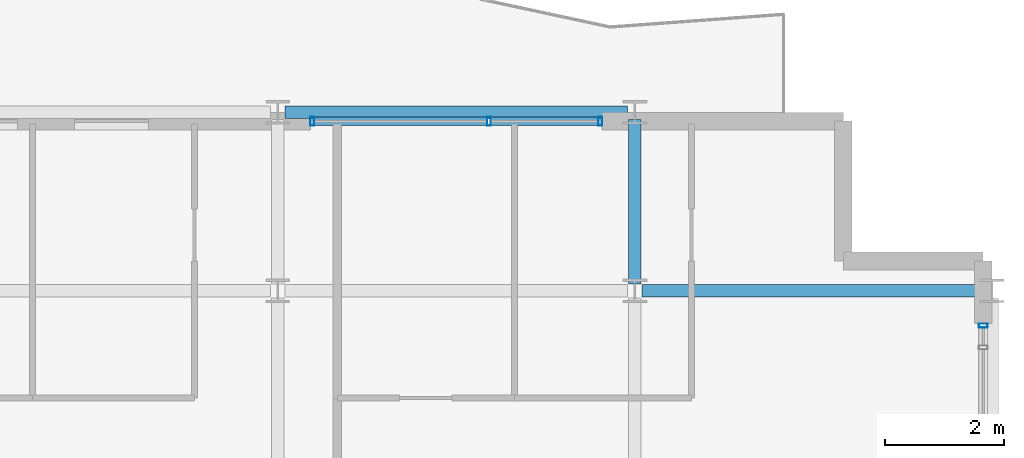
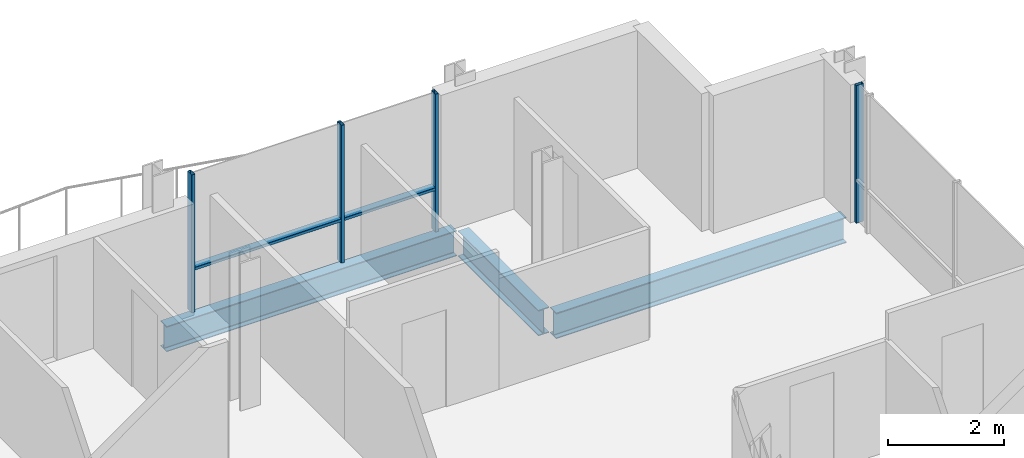
# One storey, part 18 of 33: 6 members, 3 beams, 2 elements without a shape of their own.
"""IFC4 building model written with IfcOpenShell, lengths in metres."""

import ifcopenshell
import ifcopenshell.guid

model = None  # the IFC model being written
_history = None  # IfcOwnerHistory: only IFC2X3 demands one
_inside = {}  # id of a spatial element -> (the spatial element, [elements in it])
_under = {}  # id of a project, library or spatial element -> (it, [spatial elements below it])
_declared = {}  # id of a project -> (the project, [libraries it declares])
_typed = {}  # id of a type object -> (the type object, [elements of that type])
_made_of = {}  # id of a material, layer set ... -> (it, [elements and type objects made of it])


def new_model(schema):
    """Start an empty IFC model of exactly this schema.

    Asked for "IFC4X3", IfcOpenShell would pick the latest addendum, in which some entities
    have other attributes; the version numbers below select the first issue.
    IFC2X3 requires an IfcOwnerHistory on every rooted entity: one is made here for all.
    """
    global model, _history
    if schema == "IFC4X3":
        model = ifcopenshell.file(schema_version=(4, 3, 0, 0))
    else:
        model = ifcopenshell.file(schema=schema)
    _inside.clear()
    _under.clear()
    _declared.clear()
    _typed.clear()
    _made_of.clear()
    _history = None
    if model.schema == "IFC2X3":
        org = make("IfcOrganization", Name="unknown")
        user = make(
            "IfcPersonAndOrganization",
            ThePerson=make("IfcPerson", FamilyName="unknown"),
            TheOrganization=org,
        )
        app = make(
            "IfcApplication",
            ApplicationDeveloper=org,
            Version="unknown",
            ApplicationFullName="unknown",
            ApplicationIdentifier="unknown",
        )
        _history = make(
            "IfcOwnerHistory",
            OwningUser=user,
            OwningApplication=app,
            ChangeAction="ADDED",
            CreationDate=0,
        )
    return model


def make(cls, **values):
    """One entity of the class cls with the attributes given. An attribute that is None is left unset."""
    return model.create_entity(
        cls, **{name: value for name, value in values.items() if value is not None}
    )


def rooted(cls, **values):
    """An entity with a GlobalId (a new one), such as an element, a storey or a relation."""
    return make(cls, GlobalId=ifcopenshell.guid.new(), OwnerHistory=_history, **values)


def si_unit(unit_type, name, prefix=None):
    """IfcSIUnit, for example si_unit("LENGTHUNIT", "METRE", prefix="MILLI")."""
    return make("IfcSIUnit", UnitType=unit_type, Prefix=prefix, Name=name)


def assignment(units):
    """IfcUnitAssignment: the units of a project."""
    return None if units is None else make("IfcUnitAssignment", Units=units)


def point(xyz):
    """IfcCartesianPoint."""
    return None if xyz is None else make("IfcCartesianPoint", Coordinates=xyz)


def direction(xyz):
    """IfcDirection."""
    return None if xyz is None else make("IfcDirection", DirectionRatios=xyz)


def frame(location, z_axis=None, x_axis=None):
    """IfcAxis2Placement3D, a coordinate frame: its origin and axes. An axis left out is left unset."""
    return make(
        "IfcAxis2Placement3D",
        Location=point(location),
        Axis=direction(z_axis),
        RefDirection=direction(x_axis),
    )


def frame_2d(location, x_axis=None):
    """IfcAxis2Placement2D, a coordinate frame in the plane: its origin and x axis."""
    return make(
        "IfcAxis2Placement2D", Location=point(location), RefDirection=direction(x_axis)
    )


def origin():
    """The frame at (0, 0, 0) with its axes left unset."""
    return frame((0.0, 0.0, 0.0))


def origin_2d():
    """The frame at (0, 0) in the plane with its x axis left unset."""
    return frame_2d((0.0, 0.0))


def place(relative_to, where):
    """IfcLocalPlacement: puts the frame where relative to a parent placement (None: the world)."""
    return make(
        "IfcLocalPlacement", PlacementRelTo=relative_to, RelativePlacement=where
    )


def context(
    kind, dimensions, precision=None, world=None, true_north=None, identifier=None
):
    """IfcGeometricRepresentationContext, for example the 3D "Model" context."""
    return make(
        "IfcGeometricRepresentationContext",
        ContextIdentifier=identifier,
        ContextType=kind,
        CoordinateSpaceDimension=dimensions,
        Precision=precision,
        WorldCoordinateSystem=world,
        TrueNorth=true_north,
    )


def subcontext(parent, identifier, kind, view, scale=None):
    """IfcGeometricRepresentationSubContext, for example "Body" below "Model"."""
    return make(
        "IfcGeometricRepresentationSubContext",
        ContextIdentifier=identifier,
        ContextType=kind,
        ParentContext=parent,
        TargetScale=scale,
        TargetView=view,
    )


def project(units=None, contexts=None):
    """IfcProject with its units and contexts."""
    return rooted(
        "IfcProject",
        Name="project",
        RepresentationContexts=contexts,
        UnitsInContext=assignment(units),
    )


def spatial(cls, under=None, at=None, **own):
    """A site, building, storey or space (cls), placed at a placement, below another one or the project."""
    s = rooted(cls, ObjectPlacement=at, **own)
    if under is not None:
        _under.setdefault(under.id(), (under, []))[1].append(s)
    return s


def profile(cls, at=None, kind="AREA", **sizes):
    """A parametric profile (cls). Its sizes go by their IFC names, for example OverallWidth=200.0."""
    return make(cls, ProfileType=kind, Position=at, **sizes)


def hollow_rectangle(**sizes):
    """IfcRectangleHollowProfileDef."""
    return profile("IfcRectangleHollowProfileDef", **sizes)


def i_section(**sizes):
    """IfcIShapeProfileDef."""
    return profile("IfcIShapeProfileDef", **sizes)


def extrude(swept, where, along, depth):
    """IfcExtrudedAreaSolid: the profile swept, set in the frame where, extruded along a direction by depth."""
    return make(
        "IfcExtrudedAreaSolid",
        SweptArea=swept,
        Position=where,
        ExtrudedDirection=direction(along),
        Depth=depth,
    )


def shape(context_of_items, identifier, shape_type, items):
    """IfcShapeRepresentation: the items that make up one representation, for example the "Body"."""
    return make(
        "IfcShapeRepresentation",
        ContextOfItems=context_of_items,
        RepresentationIdentifier=identifier,
        RepresentationType=shape_type,
        Items=items,
    )


def material(Name=None, Category=None):
    """IfcMaterial."""
    return make("IfcMaterial", Name=Name, Category=Category)


def layer(
    of_material, thickness, ventilated=None, Name=None, Category=None, Priority=None
):
    """IfcMaterialLayer: one layer of a wall or slab, of a material (None: an air gap)."""
    return make(
        "IfcMaterialLayer",
        Material=of_material,
        LayerThickness=thickness,
        IsVentilated=ventilated,
        Name=Name,
        Category=Category,
        Priority=Priority,
    )


def layer_set(layers, Name=None):
    """IfcMaterialLayerSet."""
    return make("IfcMaterialLayerSet", MaterialLayers=layers, LayerSetName=Name)


def material_profile(
    of_material, cross_section, Name=None, Category=None, Priority=None
):
    """IfcMaterialProfile: a cross section and its material."""
    return make(
        "IfcMaterialProfile",
        Name=Name,
        Material=of_material,
        Profile=cross_section,
        Priority=Priority,
        Category=Category,
    )


def profile_set(profiles, Name=None, composite=None):
    """IfcMaterialProfileSet."""
    return make(
        "IfcMaterialProfileSet",
        Name=Name,
        MaterialProfiles=profiles,
        CompositeProfile=composite,
    )


def made_of(thing, what):
    """Note that an element or type object is made of a material, layer set ...; save() writes the relation."""
    if what is not None:
        _made_of.setdefault(what.id(), (what, []))[1].append(thing)
    return thing


def type_object(cls, material=None, **own):
    """A type object (cls), such as IfcWallType, which elements share."""
    return made_of(rooted(cls, **own), material)


def element(
    cls,
    number,
    at=None,
    inside=None,
    cuts=None,
    type_object=None,
    material=None,
    context=None,
    identifier="Body",
    shape_type=None,
    held_by="IfcProductDefinitionShape",
    body=None,
    shapes=None,
    **own,
):
    """One element of the class cls, such as IfcWall. Its Tag is "e" and its number.

    at: its placement. inside: the storey or other place that contains it. cuts: it is an
    opening in that element (IfcRelVoidsElement). A single representation is given by context,
    identifier, shape_type and body (its items); several are given by shapes. held_by: the class
    of the entity that holds the representations. save() writes the other relations.
    """
    e = rooted(cls, Tag="e%d" % number, ObjectPlacement=at, **own)
    if body is not None:
        shapes = [shape(context, identifier, shape_type, body)]
    if shapes is not None:
        e.Representation = make(held_by, Representations=shapes)
    if inside is not None:
        _inside.setdefault(inside.id(), (inside, []))[1].append(e)
    if cuts is not None:
        rooted(
            "IfcRelVoidsElement", RelatingBuildingElement=cuts, RelatedOpeningElement=e
        )
    if type_object is not None:
        _typed.setdefault(type_object.id(), (type_object, []))[1].append(e)
    return made_of(e, material)


def aggregate(whole, parts):
    """IfcRelAggregates: a whole, such as a stair, and the parts it consists of."""
    return rooted("IfcRelAggregates", RelatingObject=whole, RelatedObjects=parts)


def save(model, path):
    """Write the relations noted so far, then the file.

    IfcRelAggregates (storeys below a building ...), IfcRelContainedInSpatialStructure (elements
    in a storey), IfcRelDefinesByType, IfcRelAssociatesMaterial and IfcRelDeclares: one each for
    every whole, place, type object, material and project.
    """
    for whole, parts in _under.values():
        aggregate(whole, parts)
    for where, things in _inside.values():
        rooted(
            "IfcRelContainedInSpatialStructure",
            RelatedElements=things,
            RelatingStructure=where,
        )
    for kind, things in _typed.values():
        rooted("IfcRelDefinesByType", RelatedObjects=things, RelatingType=kind)
    for what, things in _made_of.values():
        rooted("IfcRelAssociatesMaterial", RelatedObjects=things, RelatingMaterial=what)
    for by, libraries in _declared.values():
        rooted("IfcRelDeclares", RelatingContext=by, RelatedDefinitions=libraries)
    model.write(path)


model = new_model("IFC4")

# Units and contexts
model_context = context("Model", 3, precision=1e-05, world=origin(), true_north=direction((0.0, 1.0)))
body_context = subcontext(model_context, "Body", "Model", "MODEL_VIEW")
ifc_project = project(units=[si_unit("LENGTHUNIT", "METRE"), si_unit("AREAUNIT", "SQUARE_METRE"), si_unit("VOLUMEUNIT", "CUBIC_METRE"), si_unit("PLANEANGLEUNIT", "RADIAN"), si_unit("MASSUNIT", "GRAM", prefix="KILO")], contexts=[model_context])

# Site, building, storey
site_placement = place(None, origin())
site = spatial("IfcSite", under=ifc_project, at=site_placement, CompositionType="ELEMENT")
building_placement = place(site_placement, origin())
building = spatial("IfcBuilding", under=site, at=building_placement, Name="Brevholm Reach", CompositionType="ELEMENT")
storey_placement = place(building_placement, frame((0.0, 0.0, 189.39990234375)))
storey = spatial("IfcBuildingStorey", under=building, at=storey_placement, Name="L57", CompositionType="ELEMENT", Elevation=189.39990234375)

# Beams
ifc_material_1 = material(Name="Structural Steel S355J2", Category="steel")
ifc_material_profile_1 = material_profile(ifc_material_1, i_section(OverallWidth=0.209228515625, OverallDepth=0.533203125, WebThickness=0.010009765625, FlangeThickness=0.015625, FilletRadius=0.0126953125, at=origin_2d()), Name="UKB 533x210x92")
ifc_profile_set_1 = profile_set([ifc_material_profile_1], Name="Structural Steel S355J2")
beam_type_1 = type_object("IfcBeamType", Name="BM-SP533", PredefinedType="SPANDREL", material=ifc_profile_set_1)
beam_1_placement = place(storey_placement, frame((48.1201171875, 26.5, -0.4765625), z_axis=(1.0, 0.0, 0.0), x_axis=(0.0, 1.0, 0.0)))
element("IfcBeam", 1, at=beam_1_placement, inside=storey, type_object=beam_type_1, Name="L57 SP-02 Framing Beam", PredefinedType="SPANDREL", context=body_context, shape_type="SweptSolid", body=[
    extrude(i_section(OverallWidth=0.209228515625, OverallDepth=0.533203125, WebThickness=0.010009765625, FlangeThickness=0.015625, FilletRadius=0.0126953125, at=origin_2d()), origin(), (0.0, 0.0, 1.0), 5.759765625),
])
ifc_material_2 = material(Name="Structural Steel S355J2", Category="steel")
ifc_material_profile_2 = material_profile(ifc_material_2, i_section(OverallWidth=0.210693359375, OverallDepth=0.53955078125, WebThickness=0.01171875, FlangeThickness=0.018798828125, FilletRadius=0.0126953125, at=origin_2d()), Name="UKB 533x210x109")
ifc_profile_set_2 = profile_set([ifc_material_profile_2], Name="Structural Steel S355J2")
beam_type_2 = type_object("IfcBeamType", Name="BM-SP539", PredefinedType="SPANDREL", material=ifc_profile_set_2)
beam_2_placement = place(storey_placement, frame((54.1201171875, 23.5, -0.479736328125), z_axis=(1.0, 0.0, 0.0), x_axis=(0.0, 1.0, 0.0)))
element("IfcBeam", 2, at=beam_2_placement, inside=storey, type_object=beam_type_2, Name="L57 SP-01B Framing Beam", PredefinedType="SPANDREL", context=body_context, shape_type="SweptSolid", body=[
    extrude(i_section(OverallWidth=0.210693359375, OverallDepth=0.53955078125, WebThickness=0.01171875, FlangeThickness=0.018798828125, FilletRadius=0.0126953125, at=origin_2d()), origin(), (0.0, 0.0, 1.0), 5.759765625),
])
beam_3_placement = place(storey_placement, frame((54.0, 23.6201171875, -0.479736328125), z_axis=(0.0, 1.0, 0.0), x_axis=(-1.0, 0.0, 0.0)))
element("IfcBeam", 3, at=beam_3_placement, inside=storey, type_object=beam_type_2, Name="L57 SP-01B Framing Beam", PredefinedType="SPANDREL", context=body_context, shape_type="SweptSolid", body=[
    extrude(i_section(OverallWidth=0.210693359375, OverallDepth=0.53955078125, WebThickness=0.01171875, FlangeThickness=0.018798828125, FilletRadius=0.0126953125, at=origin_2d()), origin(), (0.0, 0.0, 1.0), 2.759765625),
])

# Curtain wall, member
ifc_material_3 = material(Name="Dark Anodised Aluminium 6063-T6 and Solar-Control Glass", Category="aluminium")
ifc_layer = layer(ifc_material_3, 0.14990234375)
ifc_layer_set = layer_set([ifc_layer], Name="Dark Anodised Aluminium 6063-T6 and Solar-Control Glass")
curtain_wall_type = type_object("IfcCurtainWallType", Name="CW-01", PredefinedType="NOTDEFINED", material=ifc_layer_set)
curtain_wall_1_placement = place(storey_placement, origin())
curtain_wall_1 = element("IfcCurtainWall", 4, at=curtain_wall_1_placement, inside=storey, type_object=curtain_wall_type, Name="L57 Curtain Wall CW-01", PredefinedType="NOTDEFINED")
ifc_material_4 = material(Name="Dark Anodised Aluminium 6063-T6", Category="aluminium")
ifc_material_profile_3 = material_profile(ifc_material_4, hollow_rectangle(XDim=0.06494140625, YDim=0.14990234375, WallThickness=0.0048828125, InnerFilletRadius=0.0048828125, OuterFilletRadius=0.010009765625, at=origin_2d()), Name="RHS 150x65x5")
ifc_profile_set_3 = profile_set([ifc_material_profile_3], Name="Dark Anodised Aluminium 6063-T6")
member_type_1 = type_object("IfcMemberType", Name="CWM-150", PredefinedType="MULLION", material=ifc_profile_set_3)
member_1_placement = place(storey_placement, frame((59.85009765625, 22.91748046875, 0.0), z_axis=(0.0, 0.0, 1.0), x_axis=(0.0, 1.0, 0.0)))
member_1 = element("IfcMember", 5, at=member_1_placement, type_object=member_type_1, Name="CM-150 Mullion 6", PredefinedType="MULLION", context=body_context, shape_type="SweptSolid", body=[
    extrude(hollow_rectangle(XDim=0.06494140625, YDim=0.14990234375, WallThickness=0.0048828125, InnerFilletRadius=0.0048828125, OuterFilletRadius=0.010009765625, at=origin_2d()), origin(), (0.0, 0.0, 1.0), 2.89013671875),
])
aggregate(curtain_wall_1, [member_1])

# Curtain wall, members
curtain_wall_2_placement = place(storey_placement, origin())
curtain_wall_2 = element("IfcCurtainWall", 6, at=curtain_wall_2_placement, inside=storey, type_object=curtain_wall_type, Name="L57 Curtain Wall CW-01", PredefinedType="NOTDEFINED")
member_2_placement = place(storey_placement, frame((48.58251953125, 26.35009765625, 0.0), z_axis=(0.0, 0.0, 1.0), x_axis=(1.0, 0.0, 0.0)))
member_2 = element("IfcMember", 7, at=member_2_placement, type_object=member_type_1, Name="CM-150 Mullion 1", PredefinedType="MULLION", context=body_context, shape_type="SweptSolid", body=[
    extrude(hollow_rectangle(XDim=0.06494140625, YDim=0.14990234375, WallThickness=0.0048828125, InnerFilletRadius=0.0048828125, OuterFilletRadius=0.010009765625, at=origin_2d()), origin(), (0.0, 0.0, 1.0), 2.89013671875),
])
member_3_placement = place(storey_placement, frame((51.550048828125, 26.35009765625, 0.0), z_axis=(0.0, 0.0, 1.0), x_axis=(1.0, 0.0, 0.0)))
member_3 = element("IfcMember", 8, at=member_3_placement, type_object=member_type_1, Name="CM-150 Mullion 2", PredefinedType="MULLION", context=body_context, shape_type="SweptSolid", body=[
    extrude(hollow_rectangle(XDim=0.06494140625, YDim=0.14990234375, WallThickness=0.0048828125, InnerFilletRadius=0.0048828125, OuterFilletRadius=0.010009765625, at=origin_2d()), origin(), (0.0, 0.0, 1.0), 2.89013671875),
])
member_4_placement = place(storey_placement, frame((53.41748046875, 26.35009765625, 0.0), z_axis=(0.0, 0.0, 1.0), x_axis=(1.0, 0.0, 0.0)))
member_4 = element("IfcMember", 9, at=member_4_placement, type_object=member_type_1, Name="CM-150 Mullion 3", PredefinedType="MULLION", context=body_context, shape_type="SweptSolid", body=[
    extrude(hollow_rectangle(XDim=0.06494140625, YDim=0.14990234375, WallThickness=0.0048828125, InnerFilletRadius=0.0048828125, OuterFilletRadius=0.010009765625, at=origin_2d()), origin(), (0.0, 0.0, 1.0), 2.89013671875),
])
ifc_material_5 = material(Name="Dark Anodised Aluminium 6063-T6", Category="aluminium")
ifc_material_profile_4 = material_profile(ifc_material_5, hollow_rectangle(XDim=0.06494140625, YDim=0.14990234375, WallThickness=0.0048828125, InnerFilletRadius=0.0048828125, OuterFilletRadius=0.010009765625, at=origin_2d()), Name="RHS 150x65x5")
ifc_profile_set_4 = profile_set([ifc_material_profile_4], Name="Dark Anodised Aluminium 6063-T6")
member_type_2 = type_object("IfcMemberType", Name="CWT-150", PredefinedType="NOTDEFINED", material=ifc_profile_set_4)
member_5_placement = place(storey_placement, frame((48.614990234375, 26.35009765625, 0.900146484375), z_axis=(1.0, 0.0, 0.0), x_axis=(0.0, 0.0, 1.0)))
member_5 = element("IfcMember", 10, at=member_5_placement, type_object=member_type_2, Name="CT-150 Transom 1.1", ObjectType="TRANSOM", PredefinedType="USERDEFINED", context=body_context, shape_type="SweptSolid", body=[
    extrude(hollow_rectangle(XDim=0.06494140625, YDim=0.14990234375, WallThickness=0.0048828125, InnerFilletRadius=0.0048828125, OuterFilletRadius=0.010009765625, at=origin_2d()), origin(), (0.0, 0.0, 1.0), 2.902587890625),
])
member_6_placement = place(storey_placement, frame((51.58251953125, 26.35009765625, 0.900146484375), z_axis=(1.0, 0.0, 0.0), x_axis=(0.0, 0.0, 1.0)))
member_6 = element("IfcMember", 11, at=member_6_placement, type_object=member_type_2, Name="CT-150 Transom 2.1", ObjectType="TRANSOM", PredefinedType="USERDEFINED", context=body_context, shape_type="SweptSolid", body=[
    extrude(hollow_rectangle(XDim=0.06494140625, YDim=0.14990234375, WallThickness=0.0048828125, InnerFilletRadius=0.0048828125, OuterFilletRadius=0.010009765625, at=origin_2d()), origin(), (0.0, 0.0, 1.0), 1.802490234375),
])
aggregate(curtain_wall_2, [member_2, member_3, member_4, member_5, member_6])

save(model, "model.ifc")
